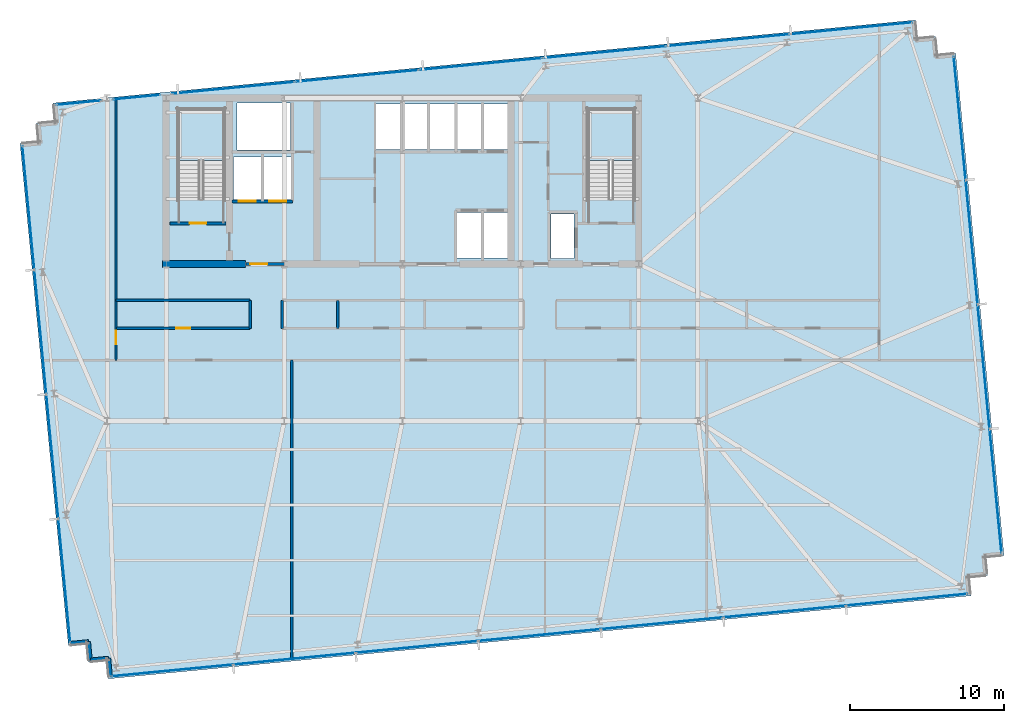
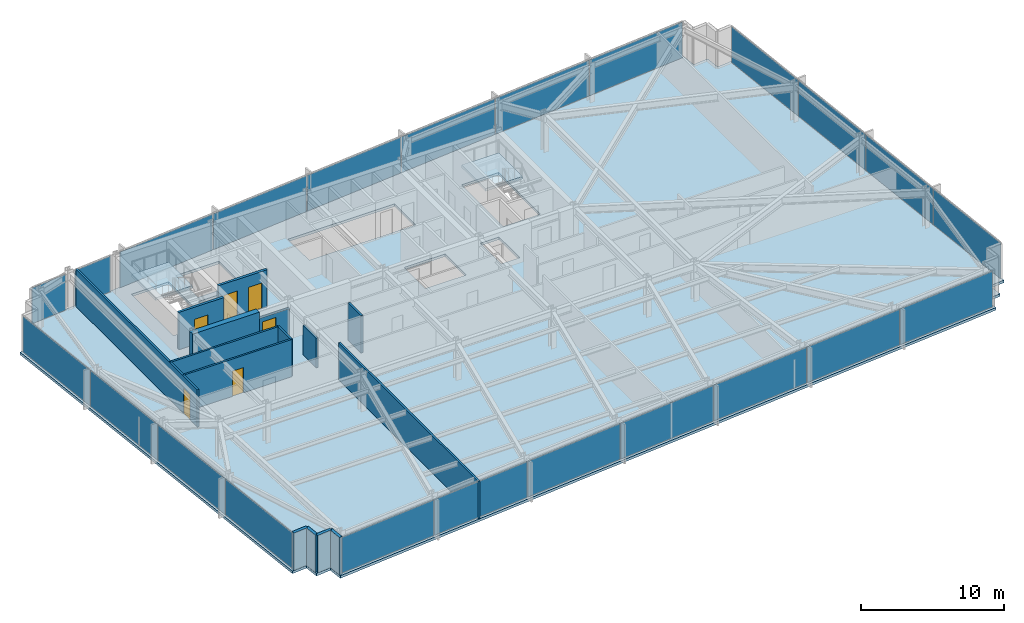
# One storey, part 24 of 32: 23 plates, 15 walls, 6 doors, 3 slabs, 6 openings, 8 elements without a shape of their own.
"""IFC4 building model written with IfcOpenShell, lengths in metres."""

from ifc_helpers import new_model, si_unit, direction, frame, frame_2d, origin, origin_2d, place, context, subcontext, project, spatial, polyline, rectangle, outline, extrude, material, layer, layer_set, type_object, element, fill, aggregate, save


model = new_model("IFC4")

# Units and contexts
model_context = context("Model", 3, precision=1e-05, world=origin(), true_north=direction((0.0, 1.0)))
body_context = subcontext(model_context, "Body", "Model", "MODEL_VIEW")
ifc_project = project(units=[si_unit("LENGTHUNIT", "METRE"), si_unit("AREAUNIT", "SQUARE_METRE"), si_unit("VOLUMEUNIT", "CUBIC_METRE"), si_unit("PLANEANGLEUNIT", "RADIAN"), si_unit("MASSUNIT", "GRAM", prefix="KILO")], contexts=[model_context])

# Site, building, storey
site_placement = place(None, origin())
site = spatial("IfcSite", under=ifc_project, at=site_placement, CompositionType="ELEMENT")
building_placement = place(site_placement, origin())
building = spatial("IfcBuilding", under=site, at=building_placement, Name="Yelkora Congress Tower", CompositionType="ELEMENT")
storey_placement = place(building_placement, frame((0.0, 0.0, 116.89990234375)))
storey = spatial("IfcBuildingStorey", under=building, at=storey_placement, Name="L31", CompositionType="ELEMENT", Elevation=116.89990234375)

# Curtain wall, plates
ifc_material_1 = material(Name="Anodised aluminium and insulated glass", Category="aluminium")
curtain_wall_type = type_object("IfcCurtainWallType", Name="CW-SYS-B2", PredefinedType="NOTDEFINED", material=ifc_material_1)
curtain_wall_1_placement = place(storey_placement, origin())
curtain_wall_1 = element("IfcCurtainWall", 1, at=curtain_wall_1_placement, inside=storey, type_object=curtain_wall_type, Name="L31 Unitised Curtain Wall 5", PredefinedType="NOTDEFINED")
ifc_material_2 = material(Name="Solar-control low-E glass unit B2", Category="glass")
ifc_layer_1 = layer(ifc_material_2, 0.0380859375)
ifc_layer_set_1 = layer_set([ifc_layer_1], Name="Solar-control low-E glass unit B2")
plate_type = type_object("IfcPlateType", Name="PLT-PN-B2", PredefinedType="CURTAIN_PANEL", material=ifc_layer_set_1)
plate_1_placement = place(storey_placement, frame((16.41650390625, 14.820068359375, 0.06494140625), z_axis=(0.0, 0.0, 1.0), x_axis=(-0.095842541913, 0.995396507508, 0.0)))
plate_1 = element("IfcPlate", 2, at=plate_1_placement, type_object=plate_type, Name="CW-B2 panel 1.1", PredefinedType="CURTAIN_PANEL", context=body_context, shape_type="SweptSolid", body=[
    extrude(rectangle(XDim=8.02490234375, YDim=0.0380859375, at=origin_2d()), origin(), (0.0, 0.0, 1.0), 3.050048828125),
])
plate_2_placement = place(storey_placement, frame((15.638916015625, 22.895263671875, 0.06494140625), z_axis=(0.0, 0.0, 1.0), x_axis=(-0.095842541913, 0.995396507508, 0.0)))
plate_2 = element("IfcPlate", 3, at=plate_2_placement, type_object=plate_type, Name="CW-B2 panel 2.1", PredefinedType="CURTAIN_PANEL", context=body_context, shape_type="SweptSolid", body=[
    extrude(rectangle(XDim=8.06005859375, YDim=0.0380859375, at=origin_2d()), origin(), (0.0, 0.0, 1.0), 3.050048828125),
])
plate_3_placement = place(storey_placement, frame((14.859619140625, 30.98779296875, 0.06494140625), z_axis=(0.0, 0.0, 1.0), x_axis=(-0.095842541913, 0.995396507508, 0.0)))
plate_3 = element("IfcPlate", 4, at=plate_3_placement, type_object=plate_type, Name="CW-B2 panel 3.1", PredefinedType="CURTAIN_PANEL", context=body_context, shape_type="SweptSolid", body=[
    extrude(rectangle(XDim=8.06005859375, YDim=0.0380859375, at=origin_2d()), origin(), (0.0, 0.0, 1.0), 3.050048828125),
])
plate_4_placement = place(storey_placement, frame((14.082275390625, 39.06298828125, 0.06494140625), z_axis=(0.0, 0.0, 1.0), x_axis=(-0.095842541913, 0.995396507508, 0.0)))
plate_4 = element("IfcPlate", 5, at=plate_4_placement, type_object=plate_type, Name="CW-B2 panel 4.1", PredefinedType="CURTAIN_PANEL", context=body_context, shape_type="SweptSolid", body=[
    extrude(rectangle(XDim=8.02490234375, YDim=0.0380859375, at=origin_2d()), origin(), (0.0, 0.0, 1.0), 3.050048828125),
])
aggregate(curtain_wall_1, [plate_1, plate_2, plate_3, plate_4])

# Curtain wall, plate
curtain_wall_2_placement = place(storey_placement, origin())
curtain_wall_2 = element("IfcCurtainWall", 6, at=curtain_wall_2_placement, inside=storey, type_object=curtain_wall_type, Name="L31 Unitised Curtain Wall 10 (1)", PredefinedType="NOTDEFINED")
plate_5_placement = place(storey_placement, frame((17.35888671875, 45.89111328125, 0.06494140625), z_axis=(0.0, 0.0, 1.0), x_axis=(0.99539681521, 0.095839346142, 0.0)))
plate_5 = element("IfcPlate", 7, at=plate_5_placement, type_object=plate_type, Name="CW-B2 panel 1.1", PredefinedType="CURTAIN_PANEL", context=body_context, shape_type="SweptSolid", body=[
    extrude(rectangle(XDim=2.89208984375, YDim=0.0380859375, at=origin_2d()), origin(), (0.0, 0.0, 1.0), 3.050048828125),
])
aggregate(curtain_wall_2, [plate_5])

curtain_wall_3_placement = place(storey_placement, origin())
curtain_wall_3 = element("IfcCurtainWall", 8, at=curtain_wall_3_placement, inside=storey, type_object=curtain_wall_type, Name="L31 Unitised Curtain Wall 10 (2)", PredefinedType="NOTDEFINED")
plate_6_placement = place(storey_placement, frame((21.1201171875, 46.253173828125, 0.06494140625), z_axis=(0.0, 0.0, 1.0), x_axis=(0.99539661748, 0.095841399764, 0.0)))
plate_6 = element("IfcPlate", 9, at=plate_6_placement, type_object=plate_type, Name="CW-B2 panel 1.1", PredefinedType="CURTAIN_PANEL", context=body_context, shape_type="SweptSolid", body=[
    extrude(rectangle(XDim=3.05078125, YDim=0.0380859375, at=origin_2d()), origin(), (0.0, 0.0, 1.0), 3.050048828125),
])
aggregate(curtain_wall_3, [plate_6])

# Curtain wall, plates
curtain_wall_4_placement = place(storey_placement, origin())
curtain_wall_4 = element("IfcCurtainWall", 10, at=curtain_wall_4_placement, inside=storey, type_object=curtain_wall_type, Name="L31 Unitised Curtain Wall 10 (3)", PredefinedType="NOTDEFINED")
plate_7_placement = place(storey_placement, frame((27.409423828125, 46.858642578125, 0.06494140625), z_axis=(0.0, 0.0, 1.0), x_axis=(0.995396344153, 0.095844238468, 0.0)))
plate_7 = element("IfcPlate", 11, at=plate_7_placement, type_object=plate_type, Name="CW-B2 panel 1.1", PredefinedType="CURTAIN_PANEL", context=body_context, shape_type="SweptSolid", body=[
    extrude(rectangle(XDim=7.97216796875, YDim=0.0380859375, at=origin_2d()), origin(), (0.0, 0.0, 1.0), 3.050048828125),
])
plate_8_placement = place(storey_placement, frame((35.431884765625, 47.631103515625, 0.06494140625), z_axis=(0.0, 0.0, 1.0), x_axis=(0.995396344153, 0.095844238468, 0.0)))
plate_8 = element("IfcPlate", 12, at=plate_8_placement, type_object=plate_type, Name="CW-B2 panel 2.1", PredefinedType="CURTAIN_PANEL", context=body_context, shape_type="SweptSolid", body=[
    extrude(rectangle(XDim=8.007080078125, YDim=0.0380859375, at=origin_2d()), origin(), (0.0, 0.0, 1.0), 3.050048828125),
])
plate_9_placement = place(storey_placement, frame((43.471923828125, 48.4052734375, 0.06494140625), z_axis=(0.0, 0.0, 1.0), x_axis=(0.995396344153, 0.095844238468, 0.0)))
plate_9 = element("IfcPlate", 13, at=plate_9_placement, type_object=plate_type, Name="CW-B2 panel 3.1", PredefinedType="CURTAIN_PANEL", context=body_context, shape_type="SweptSolid", body=[
    extrude(rectangle(XDim=8.007080078125, YDim=0.0380859375, at=origin_2d()), origin(), (0.0, 0.0, 1.0), 3.050048828125),
])
plate_10_placement = place(storey_placement, frame((51.511962890625, 49.179443359375, 0.06494140625), z_axis=(0.0, 0.0, 1.0), x_axis=(0.995396344153, 0.095844238468, 0.0)))
plate_10 = element("IfcPlate", 14, at=plate_10_placement, type_object=plate_type, Name="CW-B2 panel 4.1", PredefinedType="CURTAIN_PANEL", context=body_context, shape_type="SweptSolid", body=[
    extrude(rectangle(XDim=8.007080078125, YDim=0.0380859375, at=origin_2d()), origin(), (0.0, 0.0, 1.0), 3.050048828125),
])
plate_11_placement = place(storey_placement, frame((59.552001953125, 49.95361328125, 0.06494140625), z_axis=(0.0, 0.0, 1.0), x_axis=(0.995396344153, 0.095844238468, 0.0)))
plate_11 = element("IfcPlate", 15, at=plate_11_placement, type_object=plate_type, Name="CW-B2 panel 5.1", PredefinedType="CURTAIN_PANEL", context=body_context, shape_type="SweptSolid", body=[
    extrude(rectangle(XDim=8.007080078125, YDim=0.0380859375, at=origin_2d()), origin(), (0.0, 0.0, 1.0), 3.050048828125),
])
plate_12_placement = place(storey_placement, frame((67.574462890625, 50.72607421875, 0.06494140625), z_axis=(0.0, 0.0, 1.0), x_axis=(0.995396344153, 0.095844238468, 0.0)))
plate_12 = element("IfcPlate", 16, at=plate_12_placement, type_object=plate_type, Name="CW-B2 panel 6.1", PredefinedType="CURTAIN_PANEL", context=body_context, shape_type="SweptSolid", body=[
    extrude(rectangle(XDim=7.97216796875, YDim=0.0380859375, at=origin_2d()), origin(), (0.0, 0.0, 1.0), 3.050048828125),
])
aggregate(curtain_wall_4, [plate_7, plate_8, plate_9, plate_10, plate_11, plate_12])

curtain_wall_5_placement = place(storey_placement, origin())
curtain_wall_5 = element("IfcCurtainWall", 17, at=curtain_wall_5_placement, inside=storey, type_object=curtain_wall_type, Name="L31 Unitised Curtain Wall 15", PredefinedType="NOTDEFINED")
plate_13_placement = place(storey_placement, frame((74.6220703125, 44.892333984375, 0.06494140625), z_axis=(0.0, 0.0, 1.0), x_axis=(0.095842541913, -0.995396507508, 0.0)))
plate_13 = element("IfcPlate", 18, at=plate_13_placement, type_object=plate_type, Name="CW-B2 panel 1.1", PredefinedType="CURTAIN_PANEL", context=body_context, shape_type="SweptSolid", body=[
    extrude(rectangle(XDim=8.02490234375, YDim=0.0380859375, at=origin_2d()), origin(), (0.0, 0.0, 1.0), 3.050048828125),
])
plate_14_placement = place(storey_placement, frame((75.399658203125, 36.817138671875, 0.06494140625), z_axis=(0.0, 0.0, 1.0), x_axis=(0.095842541913, -0.995396507508, 0.0)))
plate_14 = element("IfcPlate", 19, at=plate_14_placement, type_object=plate_type, Name="CW-B2 panel 2.1", PredefinedType="CURTAIN_PANEL", context=body_context, shape_type="SweptSolid", body=[
    extrude(rectangle(XDim=8.06005859375, YDim=0.0380859375, at=origin_2d()), origin(), (0.0, 0.0, 1.0), 3.050048828125),
])
plate_15_placement = place(storey_placement, frame((76.178955078125, 28.724609375, 0.06494140625), z_axis=(0.0, 0.0, 1.0), x_axis=(0.095842541913, -0.995396507508, 0.0)))
plate_15 = element("IfcPlate", 20, at=plate_15_placement, type_object=plate_type, Name="CW-B2 panel 3.1", PredefinedType="CURTAIN_PANEL", context=body_context, shape_type="SweptSolid", body=[
    extrude(rectangle(XDim=8.06005859375, YDim=0.0380859375, at=origin_2d()), origin(), (0.0, 0.0, 1.0), 3.050048828125),
])
plate_16_placement = place(storey_placement, frame((76.95654296875, 20.6494140625, 0.06494140625), z_axis=(0.0, 0.0, 1.0), x_axis=(0.095842541913, -0.995396507508, 0.0)))
plate_16 = element("IfcPlate", 21, at=plate_16_placement, type_object=plate_type, Name="CW-B2 panel 4.1", PredefinedType="CURTAIN_PANEL", context=body_context, shape_type="SweptSolid", body=[
    extrude(rectangle(XDim=8.02490234375, YDim=0.0380859375, at=origin_2d()), origin(), (0.0, 0.0, 1.0), 3.050048828125),
])
aggregate(curtain_wall_5, [plate_13, plate_14, plate_15, plate_16])

curtain_wall_6_placement = place(storey_placement, origin())
curtain_wall_6 = element("IfcCurtainWall", 22, at=curtain_wall_6_placement, inside=storey, type_object=curtain_wall_type, Name="L31 Unitised Curtain Wall 20", PredefinedType="NOTDEFINED")
plate_17_placement = place(storey_placement, frame((71.1884765625, 13.58154296875, 0.06494140625), z_axis=(0.0, 0.0, 1.0), x_axis=(-0.995396333816, -0.095844345816, 0.0)))
plate_17 = element("IfcPlate", 23, at=plate_17_placement, type_object=plate_type, Name="CW-B2 panel 1.1", PredefinedType="CURTAIN_PANEL", context=body_context, shape_type="SweptSolid", body=[
    extrude(rectangle(XDim=7.89794921875, YDim=0.0380859375, at=origin_2d()), origin(), (0.0, 0.0, 1.0), 3.050048828125),
])
plate_18_placement = place(storey_placement, frame((63.23974609375, 12.816162109375, 0.06494140625), z_axis=(0.0, 0.0, 1.0), x_axis=(-0.995396333816, -0.095844345816, 0.0)))
plate_18 = element("IfcPlate", 24, at=plate_18_placement, type_object=plate_type, Name="CW-B2 panel 2.1", PredefinedType="CURTAIN_PANEL", context=body_context, shape_type="SweptSolid", body=[
    extrude(rectangle(XDim=7.932861328125, YDim=0.0380859375, at=origin_2d()), origin(), (0.0, 0.0, 1.0), 3.050048828125),
])
plate_19_placement = place(storey_placement, frame((55.273681640625, 12.049072265625, 0.06494140625), z_axis=(0.0, 0.0, 1.0), x_axis=(-0.995396333816, -0.095844345816, 0.0)))
plate_19 = element("IfcPlate", 25, at=plate_19_placement, type_object=plate_type, Name="CW-B2 panel 3.1", PredefinedType="CURTAIN_PANEL", context=body_context, shape_type="SweptSolid", body=[
    extrude(rectangle(XDim=7.932861328125, YDim=0.0380859375, at=origin_2d()), origin(), (0.0, 0.0, 1.0), 3.050048828125),
])
plate_20_placement = place(storey_placement, frame((47.307861328125, 11.281982421875, 0.06494140625), z_axis=(0.0, 0.0, 1.0), x_axis=(-0.995396333816, -0.095844345816, 0.0)))
plate_20 = element("IfcPlate", 26, at=plate_20_placement, type_object=plate_type, Name="CW-B2 panel 4.1", PredefinedType="CURTAIN_PANEL", context=body_context, shape_type="SweptSolid", body=[
    extrude(rectangle(XDim=7.932861328125, YDim=0.0380859375, at=origin_2d()), origin(), (0.0, 0.0, 1.0), 3.050048828125),
])
plate_21_placement = place(storey_placement, frame((39.341796875, 10.51513671875, 0.06494140625), z_axis=(0.0, 0.0, 1.0), x_axis=(-0.995396333816, -0.095844345816, 0.0)))
plate_21 = element("IfcPlate", 27, at=plate_21_placement, type_object=plate_type, Name="CW-B2 panel 5.1", PredefinedType="CURTAIN_PANEL", context=body_context, shape_type="SweptSolid", body=[
    extrude(rectangle(XDim=7.932861328125, YDim=0.0380859375, at=origin_2d()), origin(), (0.0, 0.0, 1.0), 3.050048828125),
])
plate_22_placement = place(storey_placement, frame((31.375732421875, 9.748046875, 0.06494140625), z_axis=(0.0, 0.0, 1.0), x_axis=(-0.995396333816, -0.095844345816, 0.0)))
plate_22 = element("IfcPlate", 28, at=plate_22_placement, type_object=plate_type, Name="CW-B2 panel 6.1", PredefinedType="CURTAIN_PANEL", context=body_context, shape_type="SweptSolid", body=[
    extrude(rectangle(XDim=7.932861328125, YDim=0.0380859375, at=origin_2d()), origin(), (0.0, 0.0, 1.0), 3.050048828125),
])
plate_23_placement = place(storey_placement, frame((23.42724609375, 8.982666015625, 0.06494140625), z_axis=(0.0, 0.0, 1.0), x_axis=(-0.995396333816, -0.095844345816, 0.0)))
plate_23 = element("IfcPlate", 29, at=plate_23_placement, type_object=plate_type, Name="CW-B2 panel 7.1", PredefinedType="CURTAIN_PANEL", context=body_context, shape_type="SweptSolid", body=[
    extrude(rectangle(XDim=7.89794921875, YDim=0.0380859375, at=origin_2d()), origin(), (0.0, 0.0, 1.0), 3.050048828125),
])
aggregate(curtain_wall_6, [plate_17, plate_18, plate_19, plate_20, plate_21, plate_22, plate_23])

# Stair, slab
ifc_material_3 = material(Name="Concrete C40/50", Category="concrete")
stair_type = type_object("IfcStairType", Name="STAIR-HT-1420-R20-170", PredefinedType="HALF_TURN_STAIR", material=ifc_material_3)
stair_1_placement = place(storey_placement, origin())
stair_1 = element("IfcStair", 30, at=stair_1_placement, inside=storey, type_object=stair_type, Name="West Core Protected Exit Stair ST-01 (L31)", PredefinedType="HALF_TURN_STAIR")
ifc_layer_2 = layer(ifc_material_3, 0.219970703125)
ifc_layer_set_2 = layer_set([ifc_layer_2], Name="Concrete C40/50")
slab_type_1 = type_object("IfcSlabType", Name="SLAB-LANDING-220", PredefinedType="LANDING", material=ifc_layer_set_2)
slab_1_placement = place(storey_placement, frame((0.0, 0.0, 1.47998046875)))
slab_1 = element("IfcSlab", 31, at=slab_1_placement, type_object=slab_type_1, Name="ST-01 L31 Half Landing 1", PredefinedType="LANDING", context=body_context, shape_type="SweptSolid", body=[
    extrude(outline(polyline([(26.820068359375, 42.1201171875), (26.820068359375, 45.469970703125), (23.820068359375, 45.469970703125), (23.820068359375, 42.1201171875), (26.820068359375, 42.1201171875)])), origin(), (0.0, 0.0, 1.0), 0.22021484375),
])
aggregate(stair_1, [slab_1])

stair_2_placement = place(storey_placement, origin())
stair_2 = element("IfcStair", 32, at=stair_2_placement, inside=storey, type_object=stair_type, Name="East Core Protected Exit Stair ST-02 (L31)", PredefinedType="HALF_TURN_STAIR")
slab_2_placement = place(storey_placement, frame((0.0, 0.0, 1.47998046875)))
slab_2 = element("IfcSlab", 33, at=slab_2_placement, type_object=slab_type_1, Name="ST-02 L31 Half Landing 1", PredefinedType="LANDING", context=body_context, shape_type="SweptSolid", body=[
    extrude(outline(polyline([(53.4599609375, 42.1201171875), (53.4599609375, 45.469970703125), (50.4599609375, 45.469970703125), (50.4599609375, 42.1201171875), (53.4599609375, 42.1201171875)])), origin(), (0.0, 0.0, 1.0), 0.22021484375),
])
aggregate(stair_2, [slab_2])

# Slab
ifc_layer_3 = layer(ifc_material_3, 0.219970703125)
ifc_layer_set_3 = layer_set([ifc_layer_3], Name="Concrete C40/50")
slab_type_2 = type_object("IfcSlabType", Name="SLAB-TWR-220", PredefinedType="FLOOR", material=ifc_layer_set_3)
slab_3_placement = place(storey_placement, frame((0.0, 0.0, -0.219970703125)))
element("IfcSlab", 34, at=slab_3_placement, inside=storey, type_object=slab_type_2, Name="L31 Structural Floor Slab", PredefinedType="FLOOR", context=body_context, shape_type="SweptSolid", body=[
    extrude(outline(polyline([(19.30078125, 8.444580078125), (75.341552734375, 13.8408203125), (75.2265625, 15.035400390625), (76.421142578125, 15.150390625), (76.30615234375, 16.3447265625), (77.50048828125, 16.459716796875), (74.356689453125, 49.10888671875), (73.162353515625, 48.99365234375), (73.04736328125, 50.188232421875), (71.852783203125, 50.0732421875), (71.73779296875, 51.267578125), (15.697021484375, 45.87158203125), (15.81201171875, 44.677001953125), (14.61767578125, 44.56201171875), (14.732666015625, 43.36767578125), (13.5380859375, 43.252685546875), (16.681884765625, 10.603515625), (17.876220703125, 10.718505859375), (17.9912109375, 9.524169921875), (19.185791015625, 9.63916015625), (19.30078125, 8.444580078125)]), holes=[polyline([(23.820068359375, 39.6298828125), (26.820068359375, 39.6298828125), (26.820068359375, 45.469970703125), (23.820068359375, 45.469970703125), (23.820068359375, 39.6298828125)]), polyline([(50.4599609375, 39.6298828125), (53.4599609375, 39.6298828125), (53.4599609375, 45.469970703125), (50.4599609375, 45.469970703125), (50.4599609375, 39.6298828125)]), polyline([(48.050048828125, 35.75), (49.550048828125, 35.75), (49.550048828125, 38.64990234375), (48.050048828125, 38.64990234375), (48.050048828125, 35.75)]), polyline([(36.64990234375, 42.85009765625), (45.25, 42.85009765625), (45.25, 45.800048828125), (36.64990234375, 45.800048828125), (36.64990234375, 42.85009765625)]), polyline([(41.949951171875, 35.800048828125), (45.25, 35.800048828125), (45.25, 38.75), (41.949951171875, 38.75), (41.949951171875, 35.800048828125)]), polyline([(27.419921875, 39.60009765625), (31.179931640625, 39.60009765625), (31.179931640625, 42.35009765625), (27.419921875, 42.35009765625), (27.419921875, 39.60009765625)]), polyline([(27.64990234375, 42.820068359375), (31.1201171875, 42.820068359375), (31.1201171875, 45.8798828125), (27.64990234375, 45.8798828125), (27.64990234375, 42.820068359375)])]), origin(), (0.0, 0.0, 1.0), 0.219970703125),
])

# Walls
ifc_material_4 = material(Name="Concrete C60/75", Category="concrete")
ifc_layer_4 = layer(ifc_material_4, 0.449951171875)
ifc_layer_set_4 = layer_set([ifc_layer_4], Name="Concrete C60/75")
wall_type_1 = type_object("IfcWallType", Name="WALL-CORE-INT-450", PredefinedType="SHEAR", material=ifc_layer_set_4)
wall_1_placement = place(storey_placement, frame((22.81494140625, 35.39990234375, 0.0), z_axis=(0.0, 0.0, 1.0), x_axis=(1.0, 0.0, 0.0)))
element("IfcWall", 35, at=wall_1_placement, inside=storey, type_object=wall_type_1, Name="L31 Rear Core South-West Shear Wall", PredefinedType="SHEAR", context=body_context, shape_type="SweptSolid", body=[
    extrude(rectangle(XDim=5.385009765625, YDim=0.449951171875, at=frame_2d((2.6923828125, 0.0))), origin(), (0.0, 0.0, 1.0), 3.18017578125),
])
ifc_layer_5 = layer(ifc_material_3, 0.239990234375)
ifc_layer_set_5 = layer_set([ifc_layer_5], Name="Concrete C40/50")
wall_type_2 = type_object("IfcWallType", Name="WALL-EXT-LIMESTONE-240", PredefinedType="SOLIDWALL", material=ifc_layer_set_5)
for number, where, z_axis, x_axis, name in (
    (36, (19.4267578125, 8.597412109375, 0.0), (0.0, 0.0, 1.0), (-0.095817067274, 0.995398960025, 0.0), "L31 Serrated Corner Limestone Pier 1"),
    (37, (19.311767578125, 9.7919921875, 0.0), (0.0, 0.0, 1.0), (-0.995398960025, -0.095817067274, 0.0), "L31 Serrated Corner Limestone Pier 2"),
):
    element("IfcWall", number, at=place(storey_placement, frame(where, z_axis=z_axis, x_axis=x_axis)), inside=storey, type_object=wall_type_2, Name=name, PredefinedType="SOLIDWALL", context=body_context, shape_type="SweptSolid", body=[
        extrude(rectangle(XDim=1.2001953125, YDim=0.239990234375, at=frame_2d((0.60009765625, 0.0))), origin(), (0.0, 0.0, 1.0), 3.18017578125),
    ])
wall_2_placement = place(storey_placement, frame((18.1171875, 9.677001953125, 0.0), z_axis=(0.0, 0.0, 1.0), x_axis=(-0.095836473879, 0.995397091755, 0.0)))
element("IfcWall", 38, at=wall_2_placement, inside=storey, type_object=wall_type_2, Name="L31 Serrated Corner Limestone Pier 3", PredefinedType="SOLIDWALL", context=body_context, shape_type="SweptSolid", body=[
    extrude(rectangle(XDim=1.199951171875, YDim=0.239990234375, at=frame_2d((0.60009765625, 0.0))), origin(), (0.0, 0.0, 1.0), 3.18017578125),
])
wall_3_placement = place(storey_placement, frame((18.002197265625, 10.871337890625, 0.0), z_axis=(0.0, 0.0, 1.0), x_axis=(-0.995398960025, -0.095817067274, 0.0)))
element("IfcWall", 39, at=wall_3_placement, inside=storey, type_object=wall_type_2, Name="L31 Serrated Corner Limestone Pier 4", PredefinedType="SOLIDWALL", context=body_context, shape_type="SweptSolid", body=[
    extrude(rectangle(XDim=1.2001953125, YDim=0.239990234375, at=frame_2d((0.60009765625, 0.0))), origin(), (0.0, 0.0, 1.0), 3.18017578125),
])
ifc_material_5 = material(Name="Acoustic metal-stud gypsum partition", Category="gypsum")
ifc_layer_6 = layer(ifc_material_5, 0.14990234375)
ifc_layer_set_6 = layer_set([ifc_layer_6], Name="Acoustic metal-stud gypsum partition")
wall_type_3 = type_object("IfcWallType", Name="WALL-INT-150-NR", PredefinedType="PARTITIONING", material=ifc_layer_set_6)
wall_4_placement = place(storey_placement, frame((31.199951171875, 9.6708984375, 0.0), z_axis=(0.0, 0.0, 1.0), x_axis=(0.0, 1.0, 0.0)))
element("IfcWall", 40, at=wall_4_placement, inside=storey, type_object=wall_type_3, Name="L31 Partition Wall 27", PredefinedType="PARTITIONING", context=body_context, shape_type="SweptSolid", body=[
    extrude(rectangle(XDim=19.4990234375, YDim=0.14990234375, at=frame_2d((9.74951171875, 0.0))), origin(), (0.0, 0.0, 1.0), 3.18017578125),
])

# Wall, opening, door
wall_5_placement = place(storey_placement, frame((19.77587890625, 29.14990234375, 0.0), z_axis=(0.0, 0.0, 1.0), x_axis=(0.0, 1.0, 0.0)))
wall_5 = element("IfcWall", 41, at=wall_5_placement, inside=storey, type_object=wall_type_3, Name="L31 Partition Wall 31", PredefinedType="PARTITIONING", context=body_context, shape_type="SweptSolid", body=[
    extrude(rectangle(XDim=17.0341796875, YDim=0.14990234375, at=frame_2d((8.51708984375, 0.0))), origin(), (0.0, 0.0, 1.0), 3.18017578125),
])
opening_1_placement = place(wall_5_placement, frame((1.030029296875, 0.0, 0.0)))
opening_1 = element("IfcOpeningElement", 42, at=opening_1_placement, cuts=wall_5, Name="Opening DR-090N", PredefinedType="OPENING", context=body_context, shape_type="SweptSolid", body=[
    extrude(rectangle(XDim=0.89990234375, YDim=2.14990234375, at=frame_2d((0.449951171875, 1.074951171875))), frame((0.0, 0.0849609375, 0.0), z_axis=(0.0, -1.0, 0.0), x_axis=(1.0, 0.0, 0.0)), (0.0, 0.0, 1.0), 0.169921875),
])
ifc_material_6 = material(Name="Moisture-resistant laminate door leaf", Category="wood")
door_type_1 = type_object("IfcDoorType", Name="DOOR-INT-900", OperationType="NOTDEFINED", PredefinedType="DOOR", material=ifc_material_6)
door_1_placement = place(opening_1_placement, origin())
door_1 = element("IfcDoor", 43, at=door_1_placement, inside=storey, type_object=door_type_1, Name="L31 W Wing Door", OperationType="SINGLE_SWING_LEFT", OverallHeight=2.14990234375, OverallWidth=0.89990234375, PredefinedType="DOOR", context=body_context, shape_type="SweptSolid", body=[
    extrude(rectangle(XDim=0.89990234375, YDim=2.14990234375, at=frame_2d((0.449951171875, 1.074951171875))), frame((0.0, 0.02490234375, 0.0), z_axis=(0.0, -1.0, 0.0), x_axis=(1.0, 0.0, 0.0)), (0.0, 0.0, 1.0), 0.050048828125),
])
fill(opening_1, door_1)

# Walls
wall_6_placement = place(storey_placement, frame((28.5, 31.22998046875, 0.0), z_axis=(0.0, 0.0, 1.0), x_axis=(0.0, 1.0, 0.0)))
element("IfcWall", 44, at=wall_6_placement, inside=storey, type_object=wall_type_3, Name="L31 Partition Wall 33", PredefinedType="PARTITIONING", context=body_context, shape_type="SweptSolid", body=[
    extrude(rectangle(XDim=1.820068359375, YDim=0.14990234375, at=frame_2d((0.91015625, 0.0))), origin(), (0.0, 0.0, 1.0), 3.18017578125),
])
wall_7_placement = place(storey_placement, frame((30.580078125, 31.22998046875, 0.0), z_axis=(0.0, 0.0, 1.0), x_axis=(0.0, 1.0, 0.0)))
element("IfcWall", 45, at=wall_7_placement, inside=storey, type_object=wall_type_3, Name="L31 Partition Wall 34", PredefinedType="PARTITIONING", context=body_context, shape_type="SweptSolid", body=[
    extrude(rectangle(XDim=1.820068359375, YDim=0.14990234375, at=frame_2d((0.91015625, 0.0))), origin(), (0.0, 0.0, 1.0), 2.525146484375),
])
wall_8_placement = place(storey_placement, frame((19.77587890625, 33.050048828125, 0.0), z_axis=(0.0, 0.0, 1.0), x_axis=(1.0, 0.0, 0.0)))
element("IfcWall", 46, at=wall_8_placement, inside=storey, type_object=wall_type_3, Name="L31 Partition Wall 37", PredefinedType="PARTITIONING", context=body_context, shape_type="SweptSolid", body=[
    extrude(rectangle(XDim=8.72412109375, YDim=0.14990234375, at=frame_2d((4.362060546875, 0.0))), origin(), (0.0, 0.0, 1.0), 3.18017578125),
])

# Wall, opening, door
wall_9_placement = place(storey_placement, frame((19.7958984375, 31.22998046875, 0.0), z_axis=(0.0, 0.0, 1.0), x_axis=(1.0, 0.0, 0.0)))
wall_9 = element("IfcWall", 47, at=wall_9_placement, inside=storey, type_object=wall_type_3, Name="L31 Partition Wall 40", PredefinedType="PARTITIONING", context=body_context, shape_type="SweptSolid", body=[
    extrude(rectangle(XDim=8.694091796875, YDim=0.14990234375, at=frame_2d((4.34716796875, 0.0))), origin(), (0.0, 0.0, 1.0), 3.18017578125),
])
opening_2_placement = place(wall_9_placement, frame((3.89697265625, 0.0, 0.0)))
opening_2 = element("IfcOpeningElement", 48, at=opening_2_placement, cuts=wall_9, Name="Opening DR-090N", PredefinedType="OPENING", context=body_context, shape_type="SweptSolid", body=[
    extrude(rectangle(XDim=0.89990234375, YDim=2.14990234375, at=frame_2d((0.449951171875, 1.074951171875))), frame((0.0, 0.0849609375, 0.0), z_axis=(0.0, -1.0, 0.0), x_axis=(1.0, 0.0, 0.0)), (0.0, 0.0, 1.0), 0.169921875),
])
door_2_placement = place(opening_2_placement, origin())
door_2 = element("IfcDoor", 49, at=door_2_placement, inside=storey, type_object=door_type_1, Name="L31 Security Control Room Door", OperationType="SINGLE_SWING_LEFT", OverallHeight=2.14990234375, OverallWidth=0.89990234375, PredefinedType="DOOR", context=body_context, shape_type="SweptSolid", body=[
    extrude(rectangle(XDim=0.89990234375, YDim=2.14990234375, at=frame_2d((0.449951171875, 1.074951171875))), frame((0.0, 0.02490234375, 0.0), z_axis=(0.0, -1.0, 0.0), x_axis=(1.0, 0.0, 0.0)), (0.0, 0.0, 1.0), 0.050048828125),
])
fill(opening_2, door_2)

# Wall
wall_10_placement = place(storey_placement, frame((34.200927734375, 31.22998046875, 0.0), z_axis=(0.0, 0.0, 1.0), x_axis=(0.0, 1.0, 0.0)))
element("IfcWall", 50, at=wall_10_placement, inside=storey, type_object=wall_type_3, Name="L31 Partition Wall 41", PredefinedType="PARTITIONING", context=body_context, shape_type="SweptSolid", body=[
    extrude(rectangle(XDim=1.820068359375, YDim=0.14990234375, at=frame_2d((0.91015625, 0.0))), origin(), (0.0, 0.0, 1.0), 3.18017578125),
])

# Wall, opening, door
ifc_material_7 = material(Name="Autoclaved aerated concrete blockwork", Category="masonry")
ifc_layer_7 = layer(ifc_material_7, 0.199951171875)
ifc_layer_set_7 = layer_set([ifc_layer_7], Name="Autoclaved aerated concrete blockwork")
wall_type_4 = type_object("IfcWallType", Name="WALL-INT-200-R120", PredefinedType="PARTITIONING", material=ifc_layer_set_7)
wall_11_placement = place(storey_placement, frame((23.300048828125, 38.050048828125, 0.0), z_axis=(0.0, 0.0, 1.0), x_axis=(1.0, 0.0, 0.0)))
wall_11 = element("IfcWall", 51, at=wall_11_placement, inside=storey, type_object=wall_type_4, Name="L31 Stair ST-01 Enclosure Wall", PredefinedType="PARTITIONING", context=body_context, shape_type="SweptSolid", body=[
    extrude(rectangle(XDim=3.619873046875, YDim=0.199951171875, at=frame_2d((1.81005859375, 0.0))), origin(), (0.0, 0.0, 1.0), 3.18017578125),
])
opening_3_placement = place(wall_11_placement, frame((1.260009765625, 0.0, 0.0)))
opening_3 = element("IfcOpeningElement", 52, at=opening_3_placement, cuts=wall_11, Name="Opening DR-110F9", PredefinedType="OPENING", context=body_context, shape_type="SweptSolid", body=[
    extrude(rectangle(XDim=1.10009765625, YDim=2.14990234375, at=frame_2d((0.550048828125, 1.074951171875))), frame((0.0, 0.10986328125, 0.0), z_axis=(0.0, -1.0, 0.0), x_axis=(1.0, 0.0, 0.0)), (0.0, 0.0, 1.0), 0.219970703125),
])
ifc_material_8 = material(Name="Galvanised steel fire door leaf", Category="steel")
door_type_2 = type_object("IfcDoorType", Name="DOOR-FD90-1100", OperationType="NOTDEFINED", PredefinedType="DOOR", material=ifc_material_8)
door_3_placement = place(opening_3_placement, origin())
door_3 = element("IfcDoor", 53, at=door_3_placement, inside=storey, type_object=door_type_2, Name="L31 Stair ST-01 Entry Door", OperationType="SINGLE_SWING_LEFT", OverallHeight=2.14990234375, OverallWidth=1.10009765625, PredefinedType="DOOR", context=body_context, shape_type="SweptSolid", body=[
    extrude(rectangle(XDim=1.10009765625, YDim=2.14990234375, at=frame_2d((0.550048828125, 1.074951171875))), frame((0.0, 0.02490234375, 0.0), z_axis=(0.0, -1.0, 0.0), x_axis=(1.0, 0.0, 0.0)), (0.0, 0.0, 1.0), 0.050048828125),
])
fill(opening_3, door_3)

wall_12_placement = place(storey_placement, frame((28.219970703125, 35.39990234375, 0.0), z_axis=(0.0, 0.0, 1.0), x_axis=(1.0, 0.0, 0.0)))
wall_12 = element("IfcWall", 54, at=wall_12_placement, inside=storey, type_object=wall_type_4, Name="L31 Firefighting Lobby South Wall", PredefinedType="PARTITIONING", context=body_context, shape_type="SweptSolid", body=[
    extrude(rectangle(XDim=2.5, YDim=0.199951171875, at=frame_2d((1.25, 0.0))), origin(), (0.0, 0.0, 1.0), 2.525146484375),
])
opening_4_placement = place(wall_12_placement, frame((0.300048828125, 0.0, 0.0)))
opening_4 = element("IfcOpeningElement", 55, at=opening_4_placement, cuts=wall_12, Name="Opening DR-110F9", PredefinedType="OPENING", context=body_context, shape_type="SweptSolid", body=[
    extrude(rectangle(XDim=1.10009765625, YDim=2.14990234375, at=frame_2d((0.550048828125, 1.074951171875))), frame((0.0, 0.10986328125, 0.0), z_axis=(0.0, -1.0, 0.0), x_axis=(1.0, 0.0, 0.0)), (0.0, 0.0, 1.0), 0.219970703125),
])
door_4_placement = place(opening_4_placement, origin())
door_4 = element("IfcDoor", 56, at=door_4_placement, inside=storey, type_object=door_type_2, Name="L31 Firefighting Lobby Corridor Door", OperationType="SINGLE_SWING_RIGHT", OverallHeight=2.14990234375, OverallWidth=1.10009765625, PredefinedType="DOOR", context=body_context, shape_type="SweptSolid", body=[
    extrude(rectangle(XDim=1.10009765625, YDim=2.14990234375, at=frame_2d((0.550048828125, 1.074951171875))), frame((0.0, 0.02490234375, 0.0), z_axis=(0.0, -1.0, 0.0), x_axis=(1.0, 0.0, 0.0)), (0.0, 0.0, 1.0), 0.050048828125),
])
fill(opening_4, door_4)

# Wall, openings, doors
wall_13_placement = place(storey_placement, frame((27.320068359375, 39.47998046875, 0.0), z_axis=(0.0, 0.0, 1.0), x_axis=(1.0, 0.0, 0.0)))
wall_13 = element("IfcWall", 57, at=wall_13_placement, inside=storey, type_object=wall_type_4, Name="L31 Firefighting Lift Front Wall", PredefinedType="PARTITIONING", context=body_context, shape_type="SweptSolid", body=[
    extrude(rectangle(XDim=3.93994140625, YDim=0.199951171875, at=frame_2d((1.969970703125, 0.0))), origin(), (0.0, 0.0, 1.0), 3.18017578125),
])
opening_5_placement = place(wall_13_placement, frame((0.449951171875, 0.0, 0.0)))
opening_5 = element("IfcOpeningElement", 58, at=opening_5_placement, cuts=wall_13, Name="Opening LD-FF11", PredefinedType="OPENING", context=body_context, shape_type="SweptSolid", body=[
    extrude(rectangle(XDim=1.10009765625, YDim=2.199951171875, at=frame_2d((0.550048828125, 1.10009765625))), frame((0.0, 0.10986328125, 0.0), z_axis=(0.0, -1.0, 0.0), x_axis=(1.0, 0.0, 0.0)), (0.0, 0.0, 1.0), 0.219970703125),
])
opening_6_placement = place(wall_13_placement, frame((2.409912109375, 0.0, 0.0)))
opening_6 = element("IfcOpeningElement", 59, at=opening_6_placement, cuts=wall_13, Name="Opening LD-FF11", PredefinedType="OPENING", context=body_context, shape_type="SweptSolid", body=[
    extrude(rectangle(XDim=1.10009765625, YDim=2.199951171875, at=frame_2d((0.550048828125, 1.10009765625))), frame((0.0, 0.10986328125, 0.0), z_axis=(0.0, -1.0, 0.0), x_axis=(1.0, 0.0, 0.0)), (0.0, 0.0, 1.0), 0.219970703125),
])
ifc_material_9 = material(Name="Brushed stainless steel 316L landing door", Category="steel")
door_type_3 = type_object("IfcDoorType", Name="DOOR-LIFT-FF-1100", OperationType="DOUBLE_DOOR_SLIDING", PredefinedType="DOOR", material=ifc_material_9)
door_5_placement = place(opening_5_placement, origin())
door_5 = element("IfcDoor", 60, at=door_5_placement, inside=storey, type_object=door_type_3, Name="Lift Landing Door LF-FF1 L31", OperationType="DOUBLE_DOOR_SLIDING", OverallHeight=2.199951171875, OverallWidth=1.10009765625, PredefinedType="DOOR", context=body_context, shape_type="SweptSolid", body=[
    extrude(rectangle(XDim=1.10009765625, YDim=2.199951171875, at=frame_2d((0.550048828125, 1.10009765625))), frame((0.0, 0.02490234375, 0.0), z_axis=(0.0, -1.0, 0.0), x_axis=(1.0, 0.0, 0.0)), (0.0, 0.0, 1.0), 0.050048828125),
])
fill(opening_5, door_5)
door_6_placement = place(opening_6_placement, origin())
door_6 = element("IfcDoor", 61, at=door_6_placement, inside=storey, type_object=door_type_3, Name="Lift Landing Door LF-FF2 L31", OperationType="DOUBLE_DOOR_SLIDING", OverallHeight=2.199951171875, OverallWidth=1.10009765625, PredefinedType="DOOR", context=body_context, shape_type="SweptSolid", body=[
    extrude(rectangle(XDim=1.10009765625, YDim=2.199951171875, at=frame_2d((0.550048828125, 1.10009765625))), frame((0.0, 0.02490234375, 0.0), z_axis=(0.0, -1.0, 0.0), x_axis=(1.0, 0.0, 0.0)), (0.0, 0.0, 1.0), 0.050048828125),
])
fill(opening_6, door_6)

save(model, "model.ifc")
